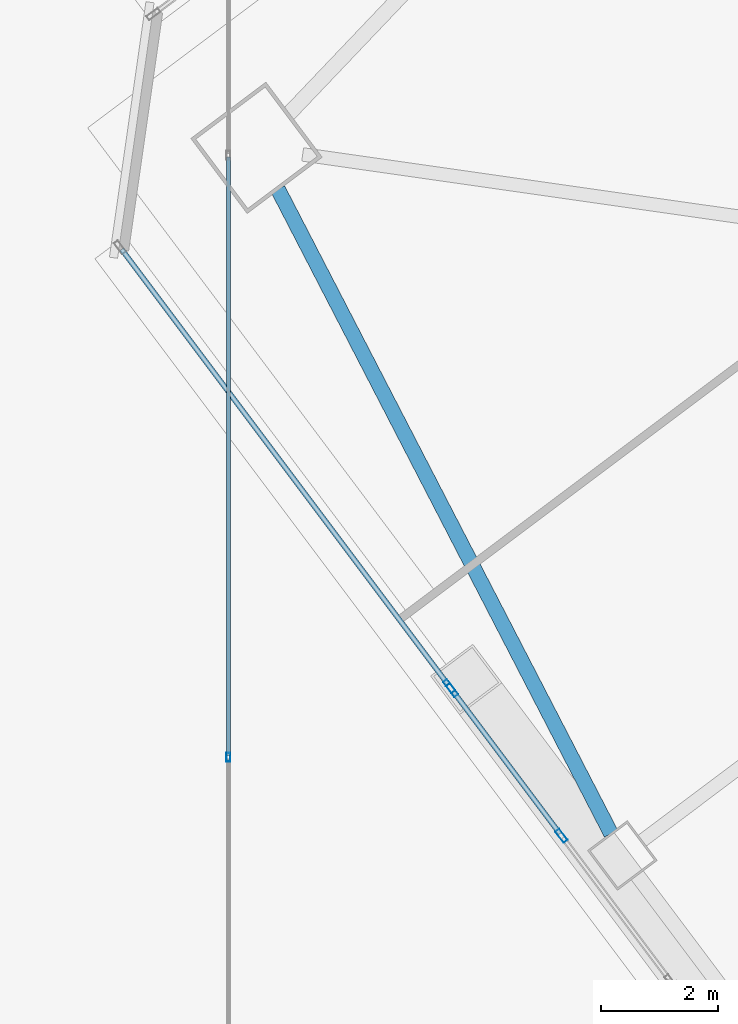
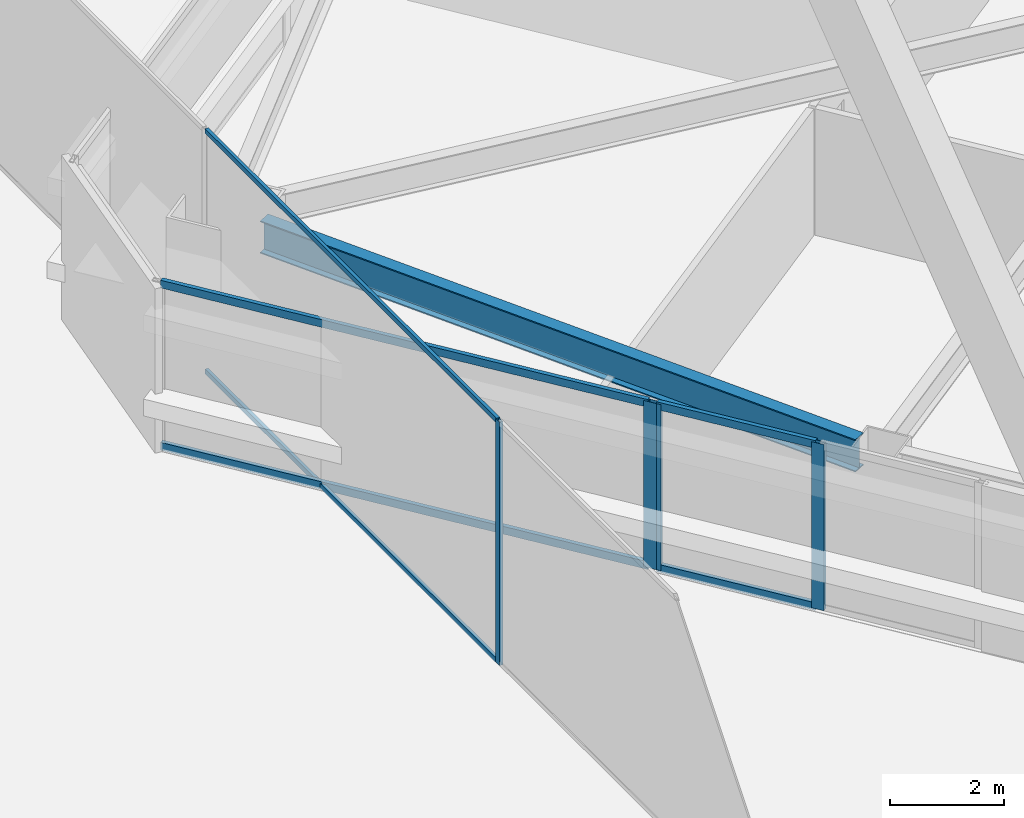
# One storey, part 31 of 83: 10 members, 1 beam, 3 elements without a shape of their own.
"""IFC4 building model written with IfcOpenShell, lengths in metres."""

from ifc_helpers import new_model, si_unit, direction, frame, origin, origin_2d, place, context, subcontext, project, spatial, hollow_rectangle, i_section, extrude, material, material_profile, profile_set, type_object, element, aggregate, save


model = new_model("IFC4")

# Units and contexts
model_context = context("Model", 3, precision=1e-05, world=origin(), true_north=direction((0.0, 1.0)))
body_context = subcontext(model_context, "Body", "Model", "MODEL_VIEW")
ifc_project = project(units=[si_unit("LENGTHUNIT", "METRE"), si_unit("AREAUNIT", "SQUARE_METRE"), si_unit("VOLUMEUNIT", "CUBIC_METRE"), si_unit("PLANEANGLEUNIT", "RADIAN"), si_unit("MASSUNIT", "GRAM", prefix="KILO")], contexts=[model_context])

# Site, building, storey
site_placement = place(None, origin())
site = spatial("IfcSite", under=ifc_project, at=site_placement, CompositionType="ELEMENT")
building_placement = place(site_placement, origin())
building = spatial("IfcBuilding", under=site, at=building_placement, Name="Tashvorn Skyway Center", CompositionType="ELEMENT")
storey_placement = place(building_placement, frame((0.0, 0.0, 24.60009765625)))
storey = spatial("IfcBuildingStorey", under=building, at=storey_placement, Name="L05", CompositionType="ELEMENT", Elevation=24.60009765625)

# Beam
ifc_material_1 = material(Name="Steel ASTM A992 Grade 50", Category="steel")
ifc_material_profile_1 = material_profile(ifc_material_1, i_section(OverallWidth=0.256103515625, OverallDepth=0.693115234375, WebThickness=0.014404296875, FlangeThickness=0.023681640625, at=origin_2d()), Name="W27X114")
ifc_profile_set_1 = profile_set([ifc_material_profile_1], Name="Steel ASTM A992 Grade 50")
beam_type = type_object("IfcBeamType", Name="BM-SPANDREL-W27X114", PredefinedType="SPANDREL", material=ifc_profile_set_1)
beam_placement = place(storey_placement, frame((88.045166015625, 35.0537109375, 3.00341796875), z_axis=(0.459233413919, -0.888315637339, 0.0), x_axis=(0.888315637339, 0.459233413919, 0.0)))
element("IfcBeam", 1, at=beam_placement, inside=storey, type_object=beam_type, Name="Tower 2 L05 Spandrel Beam 10", PredefinedType="SPANDREL", context=body_context, shape_type="SweptSolid", body=[
    extrude(i_section(OverallWidth=0.256103515625, OverallDepth=0.693115234375, WebThickness=0.014404296875, FlangeThickness=0.023681640625, at=origin_2d()), origin(), (0.0, 0.0, 1.0), 12.37255859375),
])

# Curtain wall, member
ifc_material_2 = material(Name="Thermally broken bronze-anodized aluminium 6063-T6", Category="aluminium")
curtain_wall_type_1 = type_object("IfcCurtainWallType", Name="CW-CW-SKY", PredefinedType="NOTDEFINED", material=ifc_material_2)
curtain_wall_1_placement = place(storey_placement, origin())
curtain_wall_1 = element("IfcCurtainWall", 2, at=curtain_wall_1_placement, inside=storey, type_object=curtain_wall_type_1, Name="Station Concourse Monitor East Clerestory Curtain Wall", PredefinedType="NOTDEFINED")
ifc_material_profile_2 = material_profile(ifc_material_2, hollow_rectangle(XDim=0.06494140625, YDim=0.14990234375, WallThickness=0.00390625, at=origin_2d()), Name="ALU-MULL-65x150")
ifc_profile_set_2 = profile_set([ifc_material_profile_2], Name="Thermally broken bronze-anodized aluminium 6063-T6")
member_type_1 = type_object("IfcMemberType", Name="CWM-CW-SKY", PredefinedType="MULLION", material=ifc_profile_set_2)
member_1_placement = place(storey_placement, frame((87.199951171875, 25.36669921875, 0.0), z_axis=(0.0, 0.0, 1.0), x_axis=(1.0, 0.0, 0.0)))
member_1 = element("IfcMember", 3, at=member_1_placement, type_object=member_type_1, Name="CW-SKY mullion 3", PredefinedType="MULLION", context=body_context, shape_type="SweptSolid", body=[
    extrude(hollow_rectangle(XDim=0.06494140625, YDim=0.14990234375, WallThickness=0.00390625, at=origin_2d()), origin(), (0.0, 0.0, 1.0), 5.199951171875),
])

# Curtain wall, members
curtain_wall_type_2 = type_object("IfcCurtainWallType", Name="CW-CW-Z1", PredefinedType="NOTDEFINED", material=ifc_material_2)
curtain_wall_2_placement = place(storey_placement, origin())
curtain_wall_2 = element("IfcCurtainWall", 4, at=curtain_wall_2_placement, inside=storey, type_object=curtain_wall_type_2, Name="Tower 2 L05 West Unitised Curtain Wall Glazing Group 3", PredefinedType="NOTDEFINED")
ifc_material_profile_3 = material_profile(ifc_material_2, hollow_rectangle(XDim=0.0849609375, YDim=0.239990234375, WallThickness=0.0048828125, at=origin_2d()), Name="ALU-MULL-85x240")
ifc_profile_set_3 = profile_set([ifc_material_profile_3], Name="Thermally broken bronze-anodized aluminium 6063-T6")
member_type_2 = type_object("IfcMemberType", Name="CWM-CW-Z1", PredefinedType="MULLION", material=ifc_profile_set_3)
member_2_placement = place(storey_placement, frame((92.8798828125, 24.026611328125, 0.0), z_axis=(0.0, 0.0, 1.0), x_axis=(-0.800001906763, -0.599997457641, 0.0)))
member_2 = element("IfcMember", 5, at=member_2_placement, type_object=member_type_2, Name="CW-Z1 mullion 2", PredefinedType="MULLION", context=body_context, shape_type="SweptSolid", body=[
    extrude(hollow_rectangle(XDim=0.0849609375, YDim=0.239990234375, WallThickness=0.0048828125, at=origin_2d()), origin(), (0.0, 0.0, 1.0), 3.5498046875),
])
member_3_placement = place(storey_placement, frame((91.017578125, 26.510009765625, 0.0), z_axis=(0.0, 0.0, 1.0), x_axis=(-0.800001906763, -0.599997457641, 0.0)))
member_3 = element("IfcMember", 6, at=member_3_placement, type_object=member_type_2, Name="CW-Z1 mullion 3", PredefinedType="MULLION", context=body_context, shape_type="SweptSolid", body=[
    extrude(hollow_rectangle(XDim=0.0849609375, YDim=0.239990234375, WallThickness=0.0048828125, at=origin_2d()), origin(), (0.0, 0.0, 1.0), 3.5498046875),
])

# Curtain wall, member
curtain_wall_3_placement = place(storey_placement, origin())
curtain_wall_3 = element("IfcCurtainWall", 7, at=curtain_wall_3_placement, inside=storey, type_object=curtain_wall_type_2, Name="Tower 2 L05 West Unitised Curtain Wall Glazing Group 4", PredefinedType="NOTDEFINED")
member_4_placement = place(storey_placement, frame((90.966552734375, 26.577880859375, 0.0), z_axis=(0.0, 0.0, 1.0), x_axis=(-0.799999999998, -0.600000000002, 0.0)))
member_4 = element("IfcMember", 8, at=member_4_placement, type_object=member_type_2, Name="CW-Z1 mullion 1", PredefinedType="MULLION", context=body_context, shape_type="SweptSolid", body=[
    extrude(hollow_rectangle(XDim=0.0849609375, YDim=0.239990234375, WallThickness=0.0048828125, at=origin_2d()), origin(), (0.0, 0.0, 1.0), 3.5498046875),
])

# Member
ifc_material_profile_4 = material_profile(ifc_material_2, hollow_rectangle(XDim=0.06494140625, YDim=0.10498046875, WallThickness=0.00390625, at=origin_2d()), Name="ALU-TRAN-65x105")
ifc_profile_set_4 = profile_set([ifc_material_profile_4], Name="Thermally broken bronze-anodized aluminium 6063-T6")
member_type_3 = type_object("IfcMemberType", Name="CWT-CW-SKY", PredefinedType="USERDEFINED", material=ifc_profile_set_4)
member_5_placement = place(storey_placement, frame((87.199951171875, 35.600830078125, 0.032470703125), z_axis=(0.0, -1.0, 0.0), x_axis=(1.0, 0.0, 0.0)))
member_5 = element("IfcMember", 9, at=member_5_placement, type_object=member_type_3, Name="CW-SKY transom 2.1", ObjectType="TRANSOM", PredefinedType="USERDEFINED", context=body_context, shape_type="SweptSolid", body=[
    extrude(hollow_rectangle(XDim=0.06494140625, YDim=0.10498046875, WallThickness=0.00390625, at=origin_2d()), origin(), (0.0, 0.0, 1.0), 10.20166015625),
])

member_6_placement = place(storey_placement, frame((87.199951171875, 35.600830078125, 5.16748046875), z_axis=(0.0, -1.0, 0.0), x_axis=(1.0, 0.0, 0.0)))
member_6 = element("IfcMember", 10, at=member_6_placement, type_object=member_type_3, Name="CW-SKY transom 2.2", ObjectType="TRANSOM", PredefinedType="USERDEFINED", context=body_context, shape_type="SweptSolid", body=[
    extrude(hollow_rectangle(XDim=0.06494140625, YDim=0.10498046875, WallThickness=0.00390625, at=origin_2d()), origin(), (0.0, 0.0, 1.0), 10.20166015625),
])

aggregate(curtain_wall_1, [member_1, member_5, member_6])

ifc_material_profile_5 = material_profile(ifc_material_2, hollow_rectangle(XDim=0.0849609375, YDim=0.1650390625, WallThickness=0.0048828125, at=origin_2d()), Name="ALU-TRAN-85x165")
ifc_profile_set_5 = profile_set([ifc_material_profile_5], Name="Thermally broken bronze-anodized aluminium 6063-T6")
member_type_4 = type_object("IfcMemberType", Name="CWT-CW-Z1", PredefinedType="USERDEFINED", material=ifc_profile_set_5)
member_7_placement = place(storey_placement, frame((92.8544921875, 24.060546875, 0.04248046875), z_axis=(-0.599974124791, 0.800019405753, 0.0), x_axis=(-0.800019405753, -0.599974124791, 0.0)))
member_7 = element("IfcMember", 11, at=member_7_placement, type_object=member_type_4, Name="CW-Z1 transom 2.1", ObjectType="TRANSOM", PredefinedType="USERDEFINED", context=body_context, shape_type="SweptSolid", body=[
    extrude(hollow_rectangle(XDim=0.0849609375, YDim=0.1650390625, WallThickness=0.0048828125, at=origin_2d()), origin(), (0.0, 0.0, 1.0), 3.019287109375),
])

member_8_placement = place(storey_placement, frame((92.8544921875, 24.060546875, 3.50732421875), z_axis=(-0.599974124791, 0.800019405753, 0.0), x_axis=(-0.800019405753, -0.599974124791, 0.0)))
member_8 = element("IfcMember", 12, at=member_8_placement, type_object=member_type_4, Name="CW-Z1 transom 2.2", ObjectType="TRANSOM", PredefinedType="USERDEFINED", context=body_context, shape_type="SweptSolid", body=[
    extrude(hollow_rectangle(XDim=0.0849609375, YDim=0.1650390625, WallThickness=0.0048828125, at=origin_2d()), origin(), (0.0, 0.0, 1.0), 3.019287109375),
])

aggregate(curtain_wall_2, [member_2, member_3, member_7, member_8])

member_9_placement = place(storey_placement, frame((90.94091796875, 26.612060546875, 0.04248046875), z_axis=(-0.6, 0.8, 0.0), x_axis=(-0.8, -0.6, 0.0)))
member_9 = element("IfcMember", 13, at=member_9_placement, type_object=member_type_4, Name="CW-Z1 transom 1.1", ObjectType="TRANSOM", PredefinedType="USERDEFINED", context=body_context, shape_type="SweptSolid", body=[
    extrude(hollow_rectangle(XDim=0.0849609375, YDim=0.1650390625, WallThickness=0.0048828125, at=origin_2d()), origin(), (0.0, 0.0, 1.0), 9.27001953125),
])

member_10_placement = place(storey_placement, frame((90.94091796875, 26.612060546875, 3.50732421875), z_axis=(-0.6, 0.8, 0.0), x_axis=(-0.8, -0.6, 0.0)))
member_10 = element("IfcMember", 14, at=member_10_placement, type_object=member_type_4, Name="CW-Z1 transom 1.2", ObjectType="TRANSOM", PredefinedType="USERDEFINED", context=body_context, shape_type="SweptSolid", body=[
    extrude(hollow_rectangle(XDim=0.0849609375, YDim=0.1650390625, WallThickness=0.0048828125, at=origin_2d()), origin(), (0.0, 0.0, 1.0), 9.27001953125),
])

aggregate(curtain_wall_3, [member_4, member_9, member_10])

save(model, "model.ifc")
